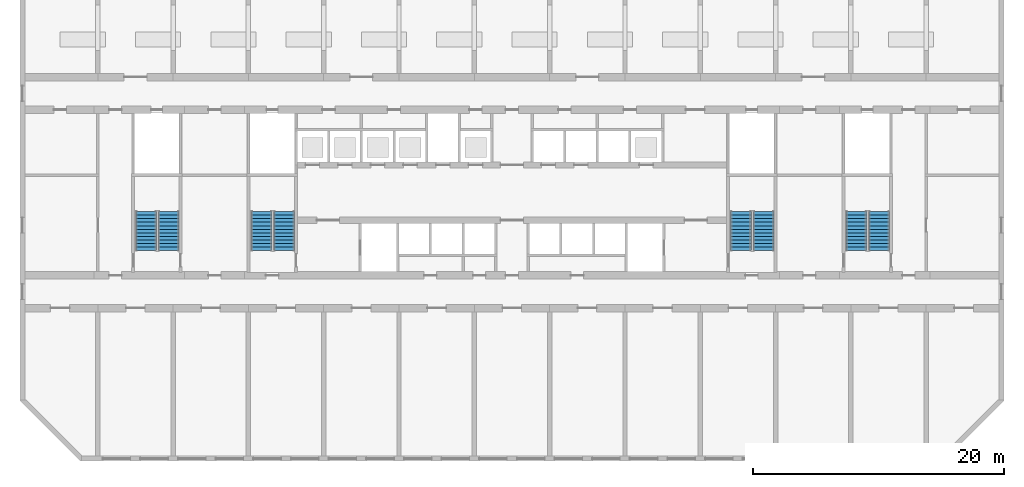
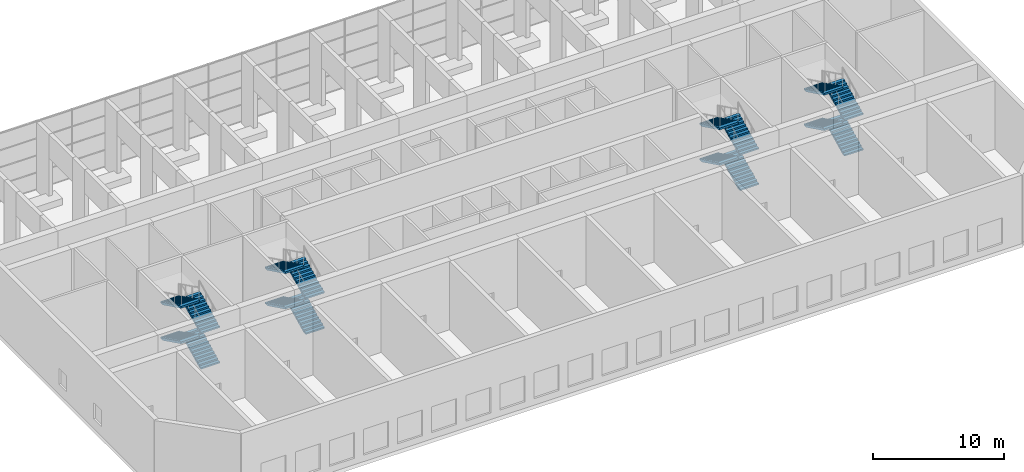
# One storey, part 13 of 16: 16 stair flights, 4 elements without a shape of their own.
"""IFC4 building model written with IfcOpenShell, lengths in metres."""

from ifc_helpers import new_model, si_unit, direction, frame, origin, place, context, subcontext, project, spatial, polyline, outline, extrude, material, layer, layer_set, type_object, element, aggregate, save


model = new_model("IFC4")

# Units and contexts
model_context = context("Model", 3, precision=1e-05, world=origin(), true_north=direction((0.0, 1.0)))
body_context = subcontext(model_context, "Body", "Model", "MODEL_VIEW")
ifc_project = project(units=[si_unit("LENGTHUNIT", "METRE"), si_unit("AREAUNIT", "SQUARE_METRE"), si_unit("VOLUMEUNIT", "CUBIC_METRE"), si_unit("PLANEANGLEUNIT", "RADIAN"), si_unit("MASSUNIT", "GRAM", prefix="KILO")], contexts=[model_context])

# Site, building, storey
site_placement = place(None, origin())
site = spatial("IfcSite", under=ifc_project, at=site_placement, CompositionType="ELEMENT")
building_placement = place(site_placement, origin())
building = spatial("IfcBuilding", under=site, at=building_placement, Name="Poui Terraces", CompositionType="ELEMENT")
storey_placement = place(building_placement, frame((0.0, 0.0, 115.800048828125)))
storey = spatial("IfcBuildingStorey", under=building, at=storey_placement, Name="L32", CompositionType="ELEMENT", Elevation=115.800048828125)

# Stair, stair flights
ifc_material = material(Name="Concrete 65 MPa", Category="concrete")
stair_type = type_object("IfcStairType", Name="EXIT STAIR 1650 65 MPA", PredefinedType="HALF_TURN_STAIR", material=ifc_material)
stair_1_placement = place(storey_placement, origin())
stair_1 = element("IfcStair", 1, at=stair_1_placement, inside=storey, type_object=stair_type, Name="L32 CORE STAIR EAST", PredefinedType="HALF_TURN_STAIR")
ifc_layer = layer(ifc_material, 0.14990234375)
ifc_layer_set = layer_set([ifc_layer], Name="Concrete 65 MPa")
stair_flight_type = type_object("IfcStairFlightType", Name="STAIR FLIGHT 12 RISERS 138 RISE 65 MPA", PredefinedType="STRAIGHT", material=ifc_layer_set)
stair_flight_1_placement = place(storey_placement, frame((71.050048828125, 16.60009765625, 0.0), z_axis=(0.0, 0.0, 1.0), x_axis=(0.0, 1.0, 0.0)))
stair_flight_1 = element("IfcStairFlight", 2, at=stair_flight_1_placement, type_object=stair_flight_type, Name="ST-CE flight 1", NumberOfRisers=12, NumberOfTreads=11, PredefinedType="STRAIGHT", RiserHeight=0.1375, TreadLength=0.28, context=body_context, shape_type="SweptSolid", body=[
    extrude(outline(polyline([(0.0, 0.0), (0.0, 0.137451171875), (0.280029296875, 0.137451171875), (0.280029296875, 0.27490234375), (0.56005859375, 0.27490234375), (0.56005859375, 0.41259765625), (0.840087890625, 0.41259765625), (0.840087890625, 0.550048828125), (1.1201171875, 0.550048828125), (1.1201171875, 0.6875), (1.39990234375, 0.6875), (1.39990234375, 0.824951171875), (1.679931640625, 0.824951171875), (1.679931640625, 0.96240234375), (1.9599609375, 0.96240234375), (1.9599609375, 1.10009765625), (2.239990234375, 1.10009765625), (2.239990234375, 1.237548828125), (2.52001953125, 1.237548828125), (2.52001953125, 1.375), (2.800048828125, 1.375), (2.800048828125, 1.512451171875), (3.080078125, 1.512451171875), (3.080078125, 1.64990234375), (3.080078125, 1.345458984375), (0.340087890625, 0.0), (0.0, 0.0)])), frame((0.0, 0.824951171875, 0.0), z_axis=(0.0, -1.0, 0.0), x_axis=(1.0, 0.0, 0.0)), (0.0, 0.0, 1.0), 1.64990234375),
])
stair_flight_2_placement = place(storey_placement, frame((69.25, 19.679931640625, 1.64990234375), z_axis=(0.0, 0.0, 1.0), x_axis=(0.0, -1.0, 0.0)))
stair_flight_2 = element("IfcStairFlight", 3, at=stair_flight_2_placement, type_object=stair_flight_type, Name="ST-CE flight 2", NumberOfRisers=12, NumberOfTreads=11, PredefinedType="STRAIGHT", RiserHeight=0.1375, TreadLength=0.28, context=body_context, shape_type="SweptSolid", body=[
    extrude(outline(polyline([(0.0, 0.0), (0.0, 0.137451171875), (0.280029296875, 0.137451171875), (0.280029296875, 0.27490234375), (0.56005859375, 0.27490234375), (0.56005859375, 0.41259765625), (0.840087890625, 0.41259765625), (0.840087890625, 0.550048828125), (1.1201171875, 0.550048828125), (1.1201171875, 0.6875), (1.39990234375, 0.6875), (1.39990234375, 0.824951171875), (1.679931640625, 0.824951171875), (1.679931640625, 0.96240234375), (1.9599609375, 0.96240234375), (1.9599609375, 1.10009765625), (2.239990234375, 1.10009765625), (2.239990234375, 1.237548828125), (2.52001953125, 1.237548828125), (2.52001953125, 1.375), (2.800048828125, 1.375), (2.800048828125, 1.512451171875), (3.080078125, 1.512451171875), (3.080078125, 1.64990234375), (3.080078125, 1.345458984375), (0.340087890625, 0.0), (0.0, 0.0)])), frame((0.0, 0.824951171875, 0.0), z_axis=(0.0, -1.0, 0.0), x_axis=(1.0, 0.0, 0.0)), (0.0, 0.0, 1.0), 1.64990234375),
])
stair_flight_3_placement = place(storey_placement, frame((71.050048828125, 16.60009765625, 3.300048828125), z_axis=(0.0, 0.0, 1.0), x_axis=(0.0, 1.0, 0.0)))
stair_flight_3 = element("IfcStairFlight", 4, at=stair_flight_3_placement, type_object=stair_flight_type, Name="ST-CE flight 3", NumberOfRisers=12, NumberOfTreads=11, PredefinedType="STRAIGHT", RiserHeight=0.1375, TreadLength=0.28, context=body_context, shape_type="SweptSolid", body=[
    extrude(outline(polyline([(0.0, 0.0), (0.0, 0.137451171875), (0.280029296875, 0.137451171875), (0.280029296875, 0.27490234375), (0.56005859375, 0.27490234375), (0.56005859375, 0.41259765625), (0.840087890625, 0.41259765625), (0.840087890625, 0.550048828125), (1.1201171875, 0.550048828125), (1.1201171875, 0.6875), (1.39990234375, 0.6875), (1.39990234375, 0.824951171875), (1.679931640625, 0.824951171875), (1.679931640625, 0.96240234375), (1.9599609375, 0.96240234375), (1.9599609375, 1.10009765625), (2.239990234375, 1.10009765625), (2.239990234375, 1.237548828125), (2.52001953125, 1.237548828125), (2.52001953125, 1.375), (2.800048828125, 1.375), (2.800048828125, 1.512451171875), (3.080078125, 1.512451171875), (3.080078125, 1.64990234375), (3.080078125, 1.345458984375), (0.340087890625, 0.0), (0.0, 0.0)])), frame((0.0, 0.824951171875, 0.0), z_axis=(0.0, -1.0, 0.0), x_axis=(1.0, 0.0, 0.0)), (0.0, 0.0, 1.0), 1.64990234375),
])
stair_flight_4_placement = place(storey_placement, frame((69.25, 19.679931640625, 4.949951171875), z_axis=(0.0, 0.0, 1.0), x_axis=(0.0, -1.0, 0.0)))
stair_flight_4 = element("IfcStairFlight", 5, at=stair_flight_4_placement, type_object=stair_flight_type, Name="ST-CE flight 4", NumberOfRisers=12, NumberOfTreads=11, PredefinedType="STRAIGHT", RiserHeight=0.1375, TreadLength=0.28, context=body_context, shape_type="SweptSolid", body=[
    extrude(outline(polyline([(0.0, 0.0), (0.0, 0.137451171875), (0.280029296875, 0.137451171875), (0.280029296875, 0.27490234375), (0.56005859375, 0.27490234375), (0.56005859375, 0.41259765625), (0.840087890625, 0.41259765625), (0.840087890625, 0.550048828125), (1.1201171875, 0.550048828125), (1.1201171875, 0.6875), (1.39990234375, 0.6875), (1.39990234375, 0.824951171875), (1.679931640625, 0.824951171875), (1.679931640625, 0.96240234375), (1.9599609375, 0.96240234375), (1.9599609375, 1.10009765625), (2.239990234375, 1.10009765625), (2.239990234375, 1.237548828125), (2.52001953125, 1.237548828125), (2.52001953125, 1.375), (2.800048828125, 1.375), (2.800048828125, 1.512451171875), (3.080078125, 1.512451171875), (3.080078125, 1.64990234375), (3.080078125, 1.345458984375), (0.340087890625, 0.0), (0.0, 0.0)])), frame((0.0, 0.824951171875, 0.0), z_axis=(0.0, -1.0, 0.0), x_axis=(1.0, 0.0, 0.0)), (0.0, 0.0, 1.0), 1.64990234375),
])
aggregate(stair_1, [stair_flight_1, stair_flight_2, stair_flight_3, stair_flight_4])

stair_2_placement = place(storey_placement, origin())
stair_2 = element("IfcStair", 6, at=stair_2_placement, inside=storey, type_object=stair_type, Name="L32 CORE STAIR WEST", PredefinedType="HALF_TURN_STAIR")
stair_flight_5_placement = place(storey_placement, frame((32.85009765625, 16.60009765625, 0.0), z_axis=(0.0, 0.0, 1.0), x_axis=(0.0, 1.0, 0.0)))
stair_flight_5 = element("IfcStairFlight", 7, at=stair_flight_5_placement, type_object=stair_flight_type, Name="ST-CW flight 1", NumberOfRisers=12, NumberOfTreads=11, PredefinedType="STRAIGHT", RiserHeight=0.1375, TreadLength=0.28, context=body_context, shape_type="SweptSolid", body=[
    extrude(outline(polyline([(0.0, 0.0), (0.0, 0.137451171875), (0.280029296875, 0.137451171875), (0.280029296875, 0.27490234375), (0.56005859375, 0.27490234375), (0.56005859375, 0.41259765625), (0.840087890625, 0.41259765625), (0.840087890625, 0.550048828125), (1.1201171875, 0.550048828125), (1.1201171875, 0.6875), (1.39990234375, 0.6875), (1.39990234375, 0.824951171875), (1.679931640625, 0.824951171875), (1.679931640625, 0.96240234375), (1.9599609375, 0.96240234375), (1.9599609375, 1.10009765625), (2.239990234375, 1.10009765625), (2.239990234375, 1.237548828125), (2.52001953125, 1.237548828125), (2.52001953125, 1.375), (2.800048828125, 1.375), (2.800048828125, 1.512451171875), (3.080078125, 1.512451171875), (3.080078125, 1.64990234375), (3.080078125, 1.345458984375), (0.340087890625, 0.0), (0.0, 0.0)])), frame((0.0, 0.824951171875, 0.0), z_axis=(0.0, -1.0, 0.0), x_axis=(1.0, 0.0, 0.0)), (0.0, 0.0, 1.0), 1.64990234375),
])
stair_flight_6_placement = place(storey_placement, frame((31.050048828125, 19.679931640625, 1.64990234375), z_axis=(0.0, 0.0, 1.0), x_axis=(0.0, -1.0, 0.0)))
stair_flight_6 = element("IfcStairFlight", 8, at=stair_flight_6_placement, type_object=stair_flight_type, Name="ST-CW flight 2", NumberOfRisers=12, NumberOfTreads=11, PredefinedType="STRAIGHT", RiserHeight=0.1375, TreadLength=0.28, context=body_context, shape_type="SweptSolid", body=[
    extrude(outline(polyline([(0.0, 0.0), (0.0, 0.137451171875), (0.280029296875, 0.137451171875), (0.280029296875, 0.27490234375), (0.56005859375, 0.27490234375), (0.56005859375, 0.41259765625), (0.840087890625, 0.41259765625), (0.840087890625, 0.550048828125), (1.1201171875, 0.550048828125), (1.1201171875, 0.6875), (1.39990234375, 0.6875), (1.39990234375, 0.824951171875), (1.679931640625, 0.824951171875), (1.679931640625, 0.96240234375), (1.9599609375, 0.96240234375), (1.9599609375, 1.10009765625), (2.239990234375, 1.10009765625), (2.239990234375, 1.237548828125), (2.52001953125, 1.237548828125), (2.52001953125, 1.375), (2.800048828125, 1.375), (2.800048828125, 1.512451171875), (3.080078125, 1.512451171875), (3.080078125, 1.64990234375), (3.080078125, 1.345458984375), (0.340087890625, 0.0), (0.0, 0.0)])), frame((0.0, 0.824951171875, 0.0), z_axis=(0.0, -1.0, 0.0), x_axis=(1.0, 0.0, 0.0)), (0.0, 0.0, 1.0), 1.64990234375),
])
stair_flight_7_placement = place(storey_placement, frame((32.85009765625, 16.60009765625, 3.300048828125), z_axis=(0.0, 0.0, 1.0), x_axis=(0.0, 1.0, 0.0)))
stair_flight_7 = element("IfcStairFlight", 9, at=stair_flight_7_placement, type_object=stair_flight_type, Name="ST-CW flight 3", NumberOfRisers=12, NumberOfTreads=11, PredefinedType="STRAIGHT", RiserHeight=0.1375, TreadLength=0.28, context=body_context, shape_type="SweptSolid", body=[
    extrude(outline(polyline([(0.0, 0.0), (0.0, 0.137451171875), (0.280029296875, 0.137451171875), (0.280029296875, 0.27490234375), (0.56005859375, 0.27490234375), (0.56005859375, 0.41259765625), (0.840087890625, 0.41259765625), (0.840087890625, 0.550048828125), (1.1201171875, 0.550048828125), (1.1201171875, 0.6875), (1.39990234375, 0.6875), (1.39990234375, 0.824951171875), (1.679931640625, 0.824951171875), (1.679931640625, 0.96240234375), (1.9599609375, 0.96240234375), (1.9599609375, 1.10009765625), (2.239990234375, 1.10009765625), (2.239990234375, 1.237548828125), (2.52001953125, 1.237548828125), (2.52001953125, 1.375), (2.800048828125, 1.375), (2.800048828125, 1.512451171875), (3.080078125, 1.512451171875), (3.080078125, 1.64990234375), (3.080078125, 1.345458984375), (0.340087890625, 0.0), (0.0, 0.0)])), frame((0.0, 0.824951171875, 0.0), z_axis=(0.0, -1.0, 0.0), x_axis=(1.0, 0.0, 0.0)), (0.0, 0.0, 1.0), 1.64990234375),
])
stair_flight_8_placement = place(storey_placement, frame((31.050048828125, 19.679931640625, 4.949951171875), z_axis=(0.0, 0.0, 1.0), x_axis=(0.0, -1.0, 0.0)))
stair_flight_8 = element("IfcStairFlight", 10, at=stair_flight_8_placement, type_object=stair_flight_type, Name="ST-CW flight 4", NumberOfRisers=12, NumberOfTreads=11, PredefinedType="STRAIGHT", RiserHeight=0.1375, TreadLength=0.28, context=body_context, shape_type="SweptSolid", body=[
    extrude(outline(polyline([(0.0, 0.0), (0.0, 0.137451171875), (0.280029296875, 0.137451171875), (0.280029296875, 0.27490234375), (0.56005859375, 0.27490234375), (0.56005859375, 0.41259765625), (0.840087890625, 0.41259765625), (0.840087890625, 0.550048828125), (1.1201171875, 0.550048828125), (1.1201171875, 0.6875), (1.39990234375, 0.6875), (1.39990234375, 0.824951171875), (1.679931640625, 0.824951171875), (1.679931640625, 0.96240234375), (1.9599609375, 0.96240234375), (1.9599609375, 1.10009765625), (2.239990234375, 1.10009765625), (2.239990234375, 1.237548828125), (2.52001953125, 1.237548828125), (2.52001953125, 1.375), (2.800048828125, 1.375), (2.800048828125, 1.512451171875), (3.080078125, 1.512451171875), (3.080078125, 1.64990234375), (3.080078125, 1.345458984375), (0.340087890625, 0.0), (0.0, 0.0)])), frame((0.0, 0.824951171875, 0.0), z_axis=(0.0, -1.0, 0.0), x_axis=(1.0, 0.0, 0.0)), (0.0, 0.0, 1.0), 1.64990234375),
])
aggregate(stair_2, [stair_flight_5, stair_flight_6, stair_flight_7, stair_flight_8])

stair_3_placement = place(storey_placement, origin())
stair_3 = element("IfcStair", 11, at=stair_3_placement, inside=storey, type_object=stair_type, Name="L32 TIP STAIR EAST", PredefinedType="HALF_TURN_STAIR")
stair_flight_9_placement = place(storey_placement, frame((80.25, 16.60009765625, 0.0), z_axis=(0.0, 0.0, 1.0), x_axis=(0.0, 1.0, 0.0)))
stair_flight_9 = element("IfcStairFlight", 12, at=stair_flight_9_placement, type_object=stair_flight_type, Name="ST-E flight 1", NumberOfRisers=12, NumberOfTreads=11, PredefinedType="STRAIGHT", RiserHeight=0.1375, TreadLength=0.28, context=body_context, shape_type="SweptSolid", body=[
    extrude(outline(polyline([(0.0, 0.0), (0.0, 0.137451171875), (0.280029296875, 0.137451171875), (0.280029296875, 0.27490234375), (0.56005859375, 0.27490234375), (0.56005859375, 0.41259765625), (0.840087890625, 0.41259765625), (0.840087890625, 0.550048828125), (1.1201171875, 0.550048828125), (1.1201171875, 0.6875), (1.39990234375, 0.6875), (1.39990234375, 0.824951171875), (1.679931640625, 0.824951171875), (1.679931640625, 0.96240234375), (1.9599609375, 0.96240234375), (1.9599609375, 1.10009765625), (2.239990234375, 1.10009765625), (2.239990234375, 1.237548828125), (2.52001953125, 1.237548828125), (2.52001953125, 1.375), (2.800048828125, 1.375), (2.800048828125, 1.512451171875), (3.080078125, 1.512451171875), (3.080078125, 1.64990234375), (3.080078125, 1.345458984375), (0.340087890625, 0.0), (0.0, 0.0)])), frame((0.0, 0.824951171875, 0.0), z_axis=(0.0, -1.0, 0.0), x_axis=(1.0, 0.0, 0.0)), (0.0, 0.0, 1.0), 1.64990234375),
])
stair_flight_10_placement = place(storey_placement, frame((78.449951171875, 19.679931640625, 1.64990234375), z_axis=(0.0, 0.0, 1.0), x_axis=(0.0, -1.0, 0.0)))
stair_flight_10 = element("IfcStairFlight", 13, at=stair_flight_10_placement, type_object=stair_flight_type, Name="ST-E flight 2", NumberOfRisers=12, NumberOfTreads=11, PredefinedType="STRAIGHT", RiserHeight=0.1375, TreadLength=0.28, context=body_context, shape_type="SweptSolid", body=[
    extrude(outline(polyline([(0.0, 0.0), (0.0, 0.137451171875), (0.280029296875, 0.137451171875), (0.280029296875, 0.27490234375), (0.56005859375, 0.27490234375), (0.56005859375, 0.41259765625), (0.840087890625, 0.41259765625), (0.840087890625, 0.550048828125), (1.1201171875, 0.550048828125), (1.1201171875, 0.6875), (1.39990234375, 0.6875), (1.39990234375, 0.824951171875), (1.679931640625, 0.824951171875), (1.679931640625, 0.96240234375), (1.9599609375, 0.96240234375), (1.9599609375, 1.10009765625), (2.239990234375, 1.10009765625), (2.239990234375, 1.237548828125), (2.52001953125, 1.237548828125), (2.52001953125, 1.375), (2.800048828125, 1.375), (2.800048828125, 1.512451171875), (3.080078125, 1.512451171875), (3.080078125, 1.64990234375), (3.080078125, 1.345458984375), (0.340087890625, 0.0), (0.0, 0.0)])), frame((0.0, 0.824951171875, 0.0), z_axis=(0.0, -1.0, 0.0), x_axis=(1.0, 0.0, 0.0)), (0.0, 0.0, 1.0), 1.64990234375),
])
stair_flight_11_placement = place(storey_placement, frame((80.25, 16.60009765625, 3.300048828125), z_axis=(0.0, 0.0, 1.0), x_axis=(0.0, 1.0, 0.0)))
stair_flight_11 = element("IfcStairFlight", 14, at=stair_flight_11_placement, type_object=stair_flight_type, Name="ST-E flight 3", NumberOfRisers=12, NumberOfTreads=11, PredefinedType="STRAIGHT", RiserHeight=0.1375, TreadLength=0.28, context=body_context, shape_type="SweptSolid", body=[
    extrude(outline(polyline([(0.0, 0.0), (0.0, 0.137451171875), (0.280029296875, 0.137451171875), (0.280029296875, 0.27490234375), (0.56005859375, 0.27490234375), (0.56005859375, 0.41259765625), (0.840087890625, 0.41259765625), (0.840087890625, 0.550048828125), (1.1201171875, 0.550048828125), (1.1201171875, 0.6875), (1.39990234375, 0.6875), (1.39990234375, 0.824951171875), (1.679931640625, 0.824951171875), (1.679931640625, 0.96240234375), (1.9599609375, 0.96240234375), (1.9599609375, 1.10009765625), (2.239990234375, 1.10009765625), (2.239990234375, 1.237548828125), (2.52001953125, 1.237548828125), (2.52001953125, 1.375), (2.800048828125, 1.375), (2.800048828125, 1.512451171875), (3.080078125, 1.512451171875), (3.080078125, 1.64990234375), (3.080078125, 1.345458984375), (0.340087890625, 0.0), (0.0, 0.0)])), frame((0.0, 0.824951171875, 0.0), z_axis=(0.0, -1.0, 0.0), x_axis=(1.0, 0.0, 0.0)), (0.0, 0.0, 1.0), 1.64990234375),
])
stair_flight_12_placement = place(storey_placement, frame((78.449951171875, 19.679931640625, 4.949951171875), z_axis=(0.0, 0.0, 1.0), x_axis=(0.0, -1.0, 0.0)))
stair_flight_12 = element("IfcStairFlight", 15, at=stair_flight_12_placement, type_object=stair_flight_type, Name="ST-E flight 4", NumberOfRisers=12, NumberOfTreads=11, PredefinedType="STRAIGHT", RiserHeight=0.1375, TreadLength=0.28, context=body_context, shape_type="SweptSolid", body=[
    extrude(outline(polyline([(0.0, 0.0), (0.0, 0.137451171875), (0.280029296875, 0.137451171875), (0.280029296875, 0.27490234375), (0.56005859375, 0.27490234375), (0.56005859375, 0.41259765625), (0.840087890625, 0.41259765625), (0.840087890625, 0.550048828125), (1.1201171875, 0.550048828125), (1.1201171875, 0.6875), (1.39990234375, 0.6875), (1.39990234375, 0.824951171875), (1.679931640625, 0.824951171875), (1.679931640625, 0.96240234375), (1.9599609375, 0.96240234375), (1.9599609375, 1.10009765625), (2.239990234375, 1.10009765625), (2.239990234375, 1.237548828125), (2.52001953125, 1.237548828125), (2.52001953125, 1.375), (2.800048828125, 1.375), (2.800048828125, 1.512451171875), (3.080078125, 1.512451171875), (3.080078125, 1.64990234375), (3.080078125, 1.345458984375), (0.340087890625, 0.0), (0.0, 0.0)])), frame((0.0, 0.824951171875, 0.0), z_axis=(0.0, -1.0, 0.0), x_axis=(1.0, 0.0, 0.0)), (0.0, 0.0, 1.0), 1.64990234375),
])
aggregate(stair_3, [stair_flight_9, stair_flight_10, stair_flight_11, stair_flight_12])

stair_4_placement = place(storey_placement, origin())
stair_4 = element("IfcStair", 16, at=stair_4_placement, inside=storey, type_object=stair_type, Name="L32 TIP STAIR WEST", PredefinedType="HALF_TURN_STAIR")
stair_flight_13_placement = place(storey_placement, frame((23.64990234375, 16.60009765625, 0.0), z_axis=(0.0, 0.0, 1.0), x_axis=(0.0, 1.0, 0.0)))
stair_flight_13 = element("IfcStairFlight", 17, at=stair_flight_13_placement, type_object=stair_flight_type, Name="ST-W flight 1", NumberOfRisers=12, NumberOfTreads=11, PredefinedType="STRAIGHT", RiserHeight=0.1375, TreadLength=0.28, context=body_context, shape_type="SweptSolid", body=[
    extrude(outline(polyline([(0.0, 0.0), (0.0, 0.137451171875), (0.280029296875, 0.137451171875), (0.280029296875, 0.27490234375), (0.56005859375, 0.27490234375), (0.56005859375, 0.41259765625), (0.840087890625, 0.41259765625), (0.840087890625, 0.550048828125), (1.1201171875, 0.550048828125), (1.1201171875, 0.6875), (1.39990234375, 0.6875), (1.39990234375, 0.824951171875), (1.679931640625, 0.824951171875), (1.679931640625, 0.96240234375), (1.9599609375, 0.96240234375), (1.9599609375, 1.10009765625), (2.239990234375, 1.10009765625), (2.239990234375, 1.237548828125), (2.52001953125, 1.237548828125), (2.52001953125, 1.375), (2.800048828125, 1.375), (2.800048828125, 1.512451171875), (3.080078125, 1.512451171875), (3.080078125, 1.64990234375), (3.080078125, 1.345458984375), (0.340087890625, 0.0), (0.0, 0.0)])), frame((0.0, 0.824951171875, 0.0), z_axis=(0.0, -1.0, 0.0), x_axis=(1.0, 0.0, 0.0)), (0.0, 0.0, 1.0), 1.64990234375),
])
stair_flight_14_placement = place(storey_placement, frame((21.85009765625, 19.679931640625, 1.64990234375), z_axis=(0.0, 0.0, 1.0), x_axis=(0.0, -1.0, 0.0)))
stair_flight_14 = element("IfcStairFlight", 18, at=stair_flight_14_placement, type_object=stair_flight_type, Name="ST-W flight 2", NumberOfRisers=12, NumberOfTreads=11, PredefinedType="STRAIGHT", RiserHeight=0.1375, TreadLength=0.28, context=body_context, shape_type="SweptSolid", body=[
    extrude(outline(polyline([(0.0, 0.0), (0.0, 0.137451171875), (0.280029296875, 0.137451171875), (0.280029296875, 0.27490234375), (0.56005859375, 0.27490234375), (0.56005859375, 0.41259765625), (0.840087890625, 0.41259765625), (0.840087890625, 0.550048828125), (1.1201171875, 0.550048828125), (1.1201171875, 0.6875), (1.39990234375, 0.6875), (1.39990234375, 0.824951171875), (1.679931640625, 0.824951171875), (1.679931640625, 0.96240234375), (1.9599609375, 0.96240234375), (1.9599609375, 1.10009765625), (2.239990234375, 1.10009765625), (2.239990234375, 1.237548828125), (2.52001953125, 1.237548828125), (2.52001953125, 1.375), (2.800048828125, 1.375), (2.800048828125, 1.512451171875), (3.080078125, 1.512451171875), (3.080078125, 1.64990234375), (3.080078125, 1.345458984375), (0.340087890625, 0.0), (0.0, 0.0)])), frame((0.0, 0.824951171875, 0.0), z_axis=(0.0, -1.0, 0.0), x_axis=(1.0, 0.0, 0.0)), (0.0, 0.0, 1.0), 1.64990234375),
])
stair_flight_15_placement = place(storey_placement, frame((23.64990234375, 16.60009765625, 3.300048828125), z_axis=(0.0, 0.0, 1.0), x_axis=(0.0, 1.0, 0.0)))
stair_flight_15 = element("IfcStairFlight", 19, at=stair_flight_15_placement, type_object=stair_flight_type, Name="ST-W flight 3", NumberOfRisers=12, NumberOfTreads=11, PredefinedType="STRAIGHT", RiserHeight=0.1375, TreadLength=0.28, context=body_context, shape_type="SweptSolid", body=[
    extrude(outline(polyline([(0.0, 0.0), (0.0, 0.137451171875), (0.280029296875, 0.137451171875), (0.280029296875, 0.27490234375), (0.56005859375, 0.27490234375), (0.56005859375, 0.41259765625), (0.840087890625, 0.41259765625), (0.840087890625, 0.550048828125), (1.1201171875, 0.550048828125), (1.1201171875, 0.6875), (1.39990234375, 0.6875), (1.39990234375, 0.824951171875), (1.679931640625, 0.824951171875), (1.679931640625, 0.96240234375), (1.9599609375, 0.96240234375), (1.9599609375, 1.10009765625), (2.239990234375, 1.10009765625), (2.239990234375, 1.237548828125), (2.52001953125, 1.237548828125), (2.52001953125, 1.375), (2.800048828125, 1.375), (2.800048828125, 1.512451171875), (3.080078125, 1.512451171875), (3.080078125, 1.64990234375), (3.080078125, 1.345458984375), (0.340087890625, 0.0), (0.0, 0.0)])), frame((0.0, 0.824951171875, 0.0), z_axis=(0.0, -1.0, 0.0), x_axis=(1.0, 0.0, 0.0)), (0.0, 0.0, 1.0), 1.64990234375),
])
stair_flight_16_placement = place(storey_placement, frame((21.85009765625, 19.679931640625, 4.949951171875), z_axis=(0.0, 0.0, 1.0), x_axis=(0.0, -1.0, 0.0)))
stair_flight_16 = element("IfcStairFlight", 20, at=stair_flight_16_placement, type_object=stair_flight_type, Name="ST-W flight 4", NumberOfRisers=12, NumberOfTreads=11, PredefinedType="STRAIGHT", RiserHeight=0.1375, TreadLength=0.28, context=body_context, shape_type="SweptSolid", body=[
    extrude(outline(polyline([(0.0, 0.0), (0.0, 0.137451171875), (0.280029296875, 0.137451171875), (0.280029296875, 0.27490234375), (0.56005859375, 0.27490234375), (0.56005859375, 0.41259765625), (0.840087890625, 0.41259765625), (0.840087890625, 0.550048828125), (1.1201171875, 0.550048828125), (1.1201171875, 0.6875), (1.39990234375, 0.6875), (1.39990234375, 0.824951171875), (1.679931640625, 0.824951171875), (1.679931640625, 0.96240234375), (1.9599609375, 0.96240234375), (1.9599609375, 1.10009765625), (2.239990234375, 1.10009765625), (2.239990234375, 1.237548828125), (2.52001953125, 1.237548828125), (2.52001953125, 1.375), (2.800048828125, 1.375), (2.800048828125, 1.512451171875), (3.080078125, 1.512451171875), (3.080078125, 1.64990234375), (3.080078125, 1.345458984375), (0.340087890625, 0.0), (0.0, 0.0)])), frame((0.0, 0.824951171875, 0.0), z_axis=(0.0, -1.0, 0.0), x_axis=(1.0, 0.0, 0.0)), (0.0, 0.0, 1.0), 1.64990234375),
])
aggregate(stair_4, [stair_flight_13, stair_flight_14, stair_flight_15, stair_flight_16])

save(model, "model.ifc")
